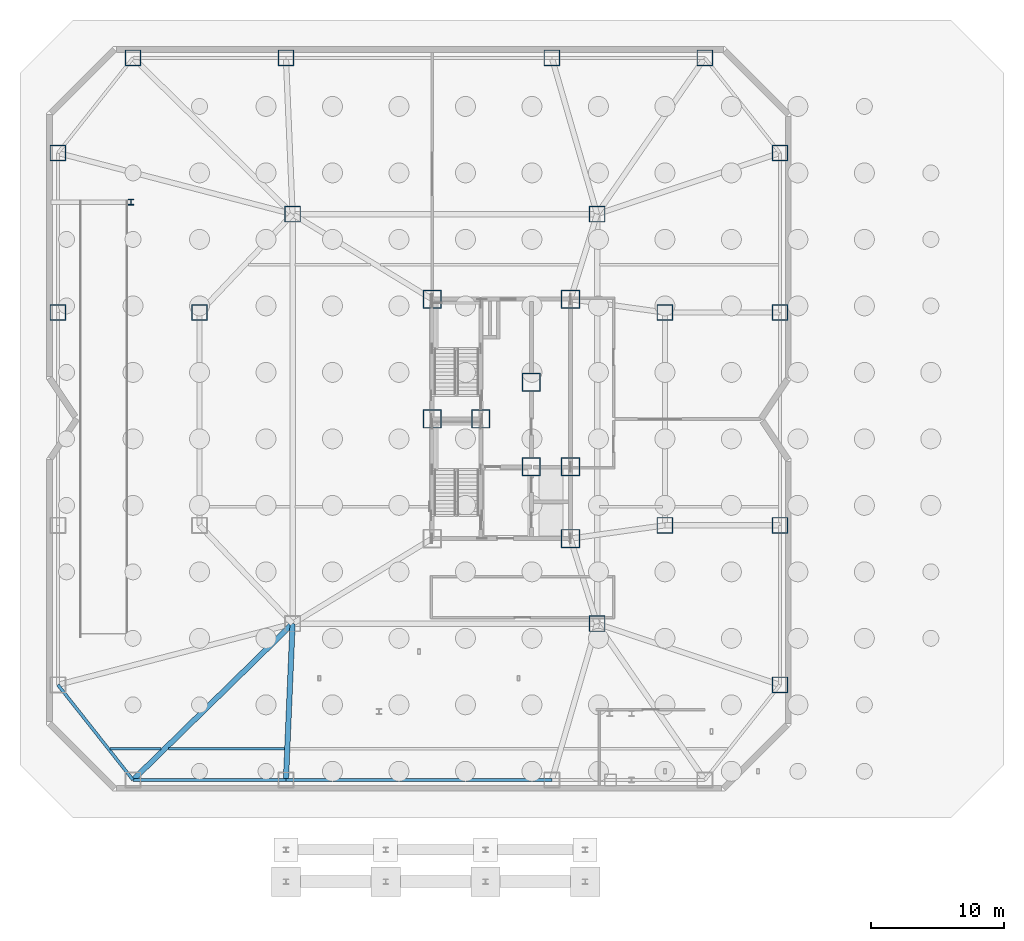
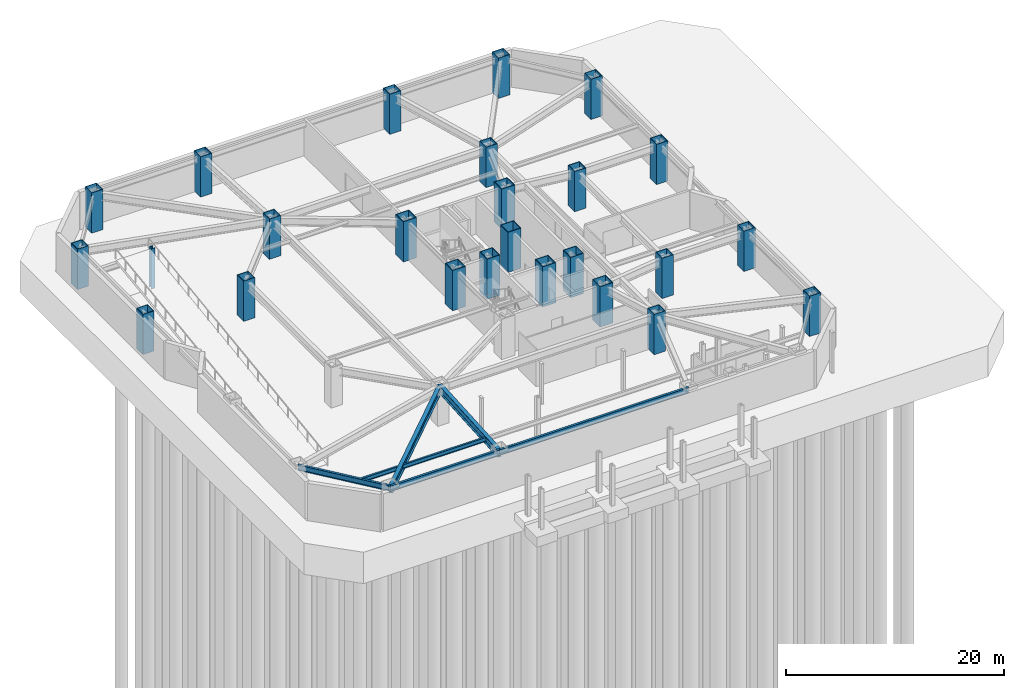
# One storey, part 3 of 15: 25 columns, 7 beams.
"""IFC4 building model written with IfcOpenShell, lengths in metres."""

import ifcopenshell
import ifcopenshell.guid

model = None  # the IFC model being written
_history = None  # IfcOwnerHistory: only IFC2X3 demands one
_inside = {}  # id of a spatial element -> (the spatial element, [elements in it])
_under = {}  # id of a project, library or spatial element -> (it, [spatial elements below it])
_declared = {}  # id of a project -> (the project, [libraries it declares])
_typed = {}  # id of a type object -> (the type object, [elements of that type])
_made_of = {}  # id of a material, layer set ... -> (it, [elements and type objects made of it])


def new_model(schema):
    """Start an empty IFC model of exactly this schema.

    Asked for "IFC4X3", IfcOpenShell would pick the latest addendum, in which some entities
    have other attributes; the version numbers below select the first issue.
    IFC2X3 requires an IfcOwnerHistory on every rooted entity: one is made here for all.
    """
    global model, _history
    if schema == "IFC4X3":
        model = ifcopenshell.file(schema_version=(4, 3, 0, 0))
    else:
        model = ifcopenshell.file(schema=schema)
    _inside.clear()
    _under.clear()
    _declared.clear()
    _typed.clear()
    _made_of.clear()
    _history = None
    if model.schema == "IFC2X3":
        org = make("IfcOrganization", Name="unknown")
        user = make(
            "IfcPersonAndOrganization",
            ThePerson=make("IfcPerson", FamilyName="unknown"),
            TheOrganization=org,
        )
        app = make(
            "IfcApplication",
            ApplicationDeveloper=org,
            Version="unknown",
            ApplicationFullName="unknown",
            ApplicationIdentifier="unknown",
        )
        _history = make(
            "IfcOwnerHistory",
            OwningUser=user,
            OwningApplication=app,
            ChangeAction="ADDED",
            CreationDate=0,
        )
    return model


def make(cls, **values):
    """One entity of the class cls with the attributes given. An attribute that is None is left unset."""
    return model.create_entity(
        cls, **{name: value for name, value in values.items() if value is not None}
    )


def rooted(cls, **values):
    """An entity with a GlobalId (a new one), such as an element, a storey or a relation."""
    return make(cls, GlobalId=ifcopenshell.guid.new(), OwnerHistory=_history, **values)


def si_unit(unit_type, name, prefix=None):
    """IfcSIUnit, for example si_unit("LENGTHUNIT", "METRE", prefix="MILLI")."""
    return make("IfcSIUnit", UnitType=unit_type, Prefix=prefix, Name=name)


def assignment(units):
    """IfcUnitAssignment: the units of a project."""
    return None if units is None else make("IfcUnitAssignment", Units=units)


def point(xyz):
    """IfcCartesianPoint."""
    return None if xyz is None else make("IfcCartesianPoint", Coordinates=xyz)


def direction(xyz):
    """IfcDirection."""
    return None if xyz is None else make("IfcDirection", DirectionRatios=xyz)


def frame(location, z_axis=None, x_axis=None):
    """IfcAxis2Placement3D, a coordinate frame: its origin and axes. An axis left out is left unset."""
    return make(
        "IfcAxis2Placement3D",
        Location=point(location),
        Axis=direction(z_axis),
        RefDirection=direction(x_axis),
    )


def frame_2d(location, x_axis=None):
    """IfcAxis2Placement2D, a coordinate frame in the plane: its origin and x axis."""
    return make(
        "IfcAxis2Placement2D", Location=point(location), RefDirection=direction(x_axis)
    )


def origin():
    """The frame at (0, 0, 0) with its axes left unset."""
    return frame((0.0, 0.0, 0.0))


def origin_2d():
    """The frame at (0, 0) in the plane with its x axis left unset."""
    return frame_2d((0.0, 0.0))


def place(relative_to, where):
    """IfcLocalPlacement: puts the frame where relative to a parent placement (None: the world)."""
    return make(
        "IfcLocalPlacement", PlacementRelTo=relative_to, RelativePlacement=where
    )


def context(
    kind, dimensions, precision=None, world=None, true_north=None, identifier=None
):
    """IfcGeometricRepresentationContext, for example the 3D "Model" context."""
    return make(
        "IfcGeometricRepresentationContext",
        ContextIdentifier=identifier,
        ContextType=kind,
        CoordinateSpaceDimension=dimensions,
        Precision=precision,
        WorldCoordinateSystem=world,
        TrueNorth=true_north,
    )


def subcontext(parent, identifier, kind, view, scale=None):
    """IfcGeometricRepresentationSubContext, for example "Body" below "Model"."""
    return make(
        "IfcGeometricRepresentationSubContext",
        ContextIdentifier=identifier,
        ContextType=kind,
        ParentContext=parent,
        TargetScale=scale,
        TargetView=view,
    )


def project(units=None, contexts=None):
    """IfcProject with its units and contexts."""
    return rooted(
        "IfcProject",
        Name="project",
        RepresentationContexts=contexts,
        UnitsInContext=assignment(units),
    )


def spatial(cls, under=None, at=None, **own):
    """A site, building, storey or space (cls), placed at a placement, below another one or the project."""
    s = rooted(cls, ObjectPlacement=at, **own)
    if under is not None:
        _under.setdefault(under.id(), (under, []))[1].append(s)
    return s


def profile(cls, at=None, kind="AREA", **sizes):
    """A parametric profile (cls). Its sizes go by their IFC names, for example OverallWidth=200.0."""
    return make(cls, ProfileType=kind, Position=at, **sizes)


def hollow_rectangle(**sizes):
    """IfcRectangleHollowProfileDef."""
    return profile("IfcRectangleHollowProfileDef", **sizes)


def i_section(**sizes):
    """IfcIShapeProfileDef."""
    return profile("IfcIShapeProfileDef", **sizes)


def extrude(swept, where, along, depth):
    """IfcExtrudedAreaSolid: the profile swept, set in the frame where, extruded along a direction by depth."""
    return make(
        "IfcExtrudedAreaSolid",
        SweptArea=swept,
        Position=where,
        ExtrudedDirection=direction(along),
        Depth=depth,
    )


def shape(context_of_items, identifier, shape_type, items):
    """IfcShapeRepresentation: the items that make up one representation, for example the "Body"."""
    return make(
        "IfcShapeRepresentation",
        ContextOfItems=context_of_items,
        RepresentationIdentifier=identifier,
        RepresentationType=shape_type,
        Items=items,
    )


def material(Name=None, Category=None):
    """IfcMaterial."""
    return make("IfcMaterial", Name=Name, Category=Category)


def material_profile(
    of_material, cross_section, Name=None, Category=None, Priority=None
):
    """IfcMaterialProfile: a cross section and its material."""
    return make(
        "IfcMaterialProfile",
        Name=Name,
        Material=of_material,
        Profile=cross_section,
        Priority=Priority,
        Category=Category,
    )


def profile_set(profiles, Name=None, composite=None):
    """IfcMaterialProfileSet."""
    return make(
        "IfcMaterialProfileSet",
        Name=Name,
        MaterialProfiles=profiles,
        CompositeProfile=composite,
    )


def made_of(thing, what):
    """Note that an element or type object is made of a material, layer set ...; save() writes the relation."""
    if what is not None:
        _made_of.setdefault(what.id(), (what, []))[1].append(thing)
    return thing


def type_object(cls, material=None, **own):
    """A type object (cls), such as IfcWallType, which elements share."""
    return made_of(rooted(cls, **own), material)


def element(
    cls,
    number,
    at=None,
    inside=None,
    cuts=None,
    type_object=None,
    material=None,
    context=None,
    identifier="Body",
    shape_type=None,
    held_by="IfcProductDefinitionShape",
    body=None,
    shapes=None,
    **own,
):
    """One element of the class cls, such as IfcWall. Its Tag is "e" and its number.

    at: its placement. inside: the storey or other place that contains it. cuts: it is an
    opening in that element (IfcRelVoidsElement). A single representation is given by context,
    identifier, shape_type and body (its items); several are given by shapes. held_by: the class
    of the entity that holds the representations. save() writes the other relations.
    """
    e = rooted(cls, Tag="e%d" % number, ObjectPlacement=at, **own)
    if body is not None:
        shapes = [shape(context, identifier, shape_type, body)]
    if shapes is not None:
        e.Representation = make(held_by, Representations=shapes)
    if inside is not None:
        _inside.setdefault(inside.id(), (inside, []))[1].append(e)
    if cuts is not None:
        rooted(
            "IfcRelVoidsElement", RelatingBuildingElement=cuts, RelatedOpeningElement=e
        )
    if type_object is not None:
        _typed.setdefault(type_object.id(), (type_object, []))[1].append(e)
    return made_of(e, material)


def aggregate(whole, parts):
    """IfcRelAggregates: a whole, such as a stair, and the parts it consists of."""
    return rooted("IfcRelAggregates", RelatingObject=whole, RelatedObjects=parts)


def save(model, path):
    """Write the relations noted so far, then the file.

    IfcRelAggregates (storeys below a building ...), IfcRelContainedInSpatialStructure (elements
    in a storey), IfcRelDefinesByType, IfcRelAssociatesMaterial and IfcRelDeclares: one each for
    every whole, place, type object, material and project.
    """
    for whole, parts in _under.values():
        aggregate(whole, parts)
    for where, things in _inside.values():
        rooted(
            "IfcRelContainedInSpatialStructure",
            RelatedElements=things,
            RelatingStructure=where,
        )
    for kind, things in _typed.values():
        rooted("IfcRelDefinesByType", RelatedObjects=things, RelatingType=kind)
    for what, things in _made_of.values():
        rooted("IfcRelAssociatesMaterial", RelatedObjects=things, RelatingMaterial=what)
    for by, libraries in _declared.values():
        rooted("IfcRelDeclares", RelatingContext=by, RelatedDefinitions=libraries)
    model.write(path)


model = new_model("IFC4")

# Units and contexts
model_context = context("Model", 3, precision=1e-05, world=origin(), true_north=direction((0.0, 1.0)))
body_context = subcontext(model_context, "Body", "Model", "MODEL_VIEW")
ifc_project = project(units=[si_unit("LENGTHUNIT", "METRE"), si_unit("AREAUNIT", "SQUARE_METRE"), si_unit("VOLUMEUNIT", "CUBIC_METRE"), si_unit("PLANEANGLEUNIT", "RADIAN"), si_unit("MASSUNIT", "GRAM", prefix="KILO")], contexts=[model_context])

# Site, building, storey
site_placement = place(None, origin())
site = spatial("IfcSite", under=ifc_project, at=site_placement, CompositionType="ELEMENT")
building_placement = place(site_placement, origin())
building = spatial("IfcBuilding", under=site, at=building_placement, Name="Khamvora Tower", CompositionType="ELEMENT")
storey_placement = place(building_placement, frame((0.0, 0.0, -9.0)))
storey = spatial("IfcBuildingStorey", under=building, at=storey_placement, Name="B2", CompositionType="ELEMENT", Elevation=-9.0)

# Columns
ifc_material_1 = material(Name="Steel S460", Category="steel")
ifc_material_profile_1 = material_profile(ifc_material_1, hollow_rectangle(XDim=1.199951171875, YDim=1.199951171875, WallThickness=0.06005859375, at=origin_2d()), Name="BOX1200x1200x60")
ifc_profile_set_1 = profile_set([ifc_material_profile_1], Name="Steel S460")
column_type_1 = type_object("IfcColumnType", Name="COL-BOX1200", PredefinedType="COLUMN", material=ifc_profile_set_1)
for number, where, z_axis, x_axis, name in (
    (1, (6.5, 55.14990234375, 0.0), (0.0, 0.0, 1.0), (1.0, 0.0, 0.0), "B2 structural frame column P05"),
    (2, (18.0, 55.14990234375, 0.0), (0.0, 0.0, 1.0), (1.0, 0.0, 0.0), "B2 structural frame column P06"),
    (3, (38.0, 55.14990234375, 0.0), (0.0, 0.0, 1.0), (1.0, 0.0, 0.0), "B2 structural frame column P07"),
    (4, (49.5, 55.14990234375, 0.0), (0.0, 0.0, 1.0), (1.0, 0.0, 0.0), "B2 structural frame column P08"),
    (5, (0.85009765625, 36.0, 0.0), (0.0, 0.0, 1.0), (1.0, 0.0, 0.0), "B2 structural frame column P11"),
    (6, (0.85009765625, 48.0, 0.0), (0.0, 0.0, 1.0), (1.0, 0.0, 0.0), "B2 structural frame column P12"),
    (7, (55.14990234375, 8.0, 0.0), (0.0, 0.0, 1.0), (1.0, 0.0, 0.0), "B2 structural frame column P13"),
    (8, (55.14990234375, 20.0, 0.0), (0.0, 0.0, 1.0), (1.0, 0.0, 0.0), "B2 structural frame column P14"),
    (9, (55.14990234375, 36.0, 0.0), (0.0, 0.0, 1.0), (1.0, 0.0, 0.0), "B2 structural frame column P15"),
    (10, (55.14990234375, 48.0, 0.0), (0.0, 0.0, 1.0), (1.0, 0.0, 0.0), "B2 structural frame column P16"),
    (11, (41.39990234375, 12.60009765625, 0.0), (0.0, 0.0, 1.0), (1.0, 0.0, 0.0), "B2 structural frame column P18"),
    (12, (18.5, 43.39990234375, 0.0), (0.0, 0.0, 1.0), (1.0, 0.0, 0.0), "B2 structural frame column P19"),
    (13, (41.39990234375, 43.39990234375, 0.0), (0.0, 0.0, 1.0), (1.0, 0.0, 0.0), "B2 structural frame column P20"),
    (14, (11.5, 36.0, 0.0), (0.0, 0.0, 1.0), (1.0, 0.0, 0.0), "B2 structural frame column P22"),
    (15, (46.5, 20.0, 0.0), (0.0, 0.0, 1.0), (1.0, 0.0, 0.0), "B2 structural frame column P23"),
    (16, (46.5, 36.0, 0.0), (0.0, 0.0, 1.0), (1.0, 0.0, 0.0), "B2 structural frame column P24"),
):
    element("IfcColumn", number, at=place(storey_placement, frame(where, z_axis=z_axis, x_axis=x_axis)), inside=storey, type_object=column_type_1, Name=name, PredefinedType="COLUMN", context=body_context, shape_type="SweptSolid", body=[
        extrude(hollow_rectangle(XDim=1.199951171875, YDim=1.199951171875, WallThickness=0.06005859375, at=origin_2d()), origin(), (0.0, 0.0, 1.0), 4.5),
    ])
ifc_material_profile_2 = material_profile(ifc_material_1, hollow_rectangle(XDim=1.39990234375, YDim=1.39990234375, WallThickness=0.070068359375, at=origin_2d()), Name="BOX1400x1400x70")
ifc_profile_set_2 = profile_set([ifc_material_profile_2], Name="Steel S460")
column_type_2 = type_object("IfcColumnType", Name="COL-BOX1400", PredefinedType="COLUMN", material=ifc_profile_set_2)
for number, where, z_axis, x_axis, name in (
    (17, (32.64990234375, 28.0, 0.0), (0.0, 0.0, 1.0), (1.0, 0.0, 0.0), "B2 plumb core spine column SC2"),
    (18, (39.39990234375, 19.0, 0.0), (0.0, 0.0, 1.0), (1.0, 0.0, 0.0), "B2 plumb core spine column SC3"),
    (19, (29.0, 28.0, 0.0), (0.0, 0.0, 1.0), (1.0, 0.0, 0.0), "B2 plumb core spine column SC4"),
    (20, (36.449951171875, 24.39990234375, 0.0), (0.0, 0.0, 1.0), (1.0, 0.0, 0.0), "B2 plumb core spine column SC5"),
    (21, (39.39990234375, 24.39990234375, 0.0), (0.0, 0.0, 1.0), (1.0, 0.0, 0.0), "B2 plumb core spine column SC6"),
    (22, (29.0, 37.0, 0.0), (0.0, 0.0, 1.0), (1.0, 0.0, 0.0), "B2 plumb core spine column SC7"),
    (23, (36.449951171875, 30.75, 0.0), (0.0, 0.0, 1.0), (1.0, 0.0, 0.0), "B2 plumb core spine column SC8"),
    (24, (39.39990234375, 37.0, 0.0), (0.0, 0.0, 1.0), (1.0, 0.0, 0.0), "B2 plumb core spine column SC9"),
):
    element("IfcColumn", number, at=place(storey_placement, frame(where, z_axis=z_axis, x_axis=x_axis)), inside=storey, type_object=column_type_2, Name=name, PredefinedType="COLUMN", context=body_context, shape_type="SweptSolid", body=[
        extrude(hollow_rectangle(XDim=1.39990234375, YDim=1.39990234375, WallThickness=0.070068359375, at=origin_2d()), origin(), (0.0, 0.0, 1.0), 4.5),
    ])
ifc_material_2 = material(Name="Steel S355", Category="steel")
ifc_material_profile_3 = material_profile(ifc_material_2, i_section(OverallWidth=0.412109375, OverallDepth=0.43505859375, WebThickness=0.031005859375, FlangeThickness=0.051025390625, FilletRadius=0.014892578125, at=origin_2d()), Name="HD400x463")
ifc_profile_set_3 = profile_set([ifc_material_profile_3], Name="Steel S355")
column_type_3 = type_object("IfcColumnType", Name="COL-HD463", PredefinedType="COLUMN", material=ifc_profile_set_3)
column_placement = place(storey_placement, frame((6.35009765625, 44.300048828125, 0.0), z_axis=(0.0, 0.0, 1.0), x_axis=(1.0, 0.0, 0.0)))
element("IfcColumn", 25, at=column_placement, inside=storey, type_object=column_type_3, Name="B2 vehicle ramp upper sill support column", PredefinedType="COLUMN", context=body_context, shape_type="SweptSolid", body=[
    extrude(i_section(OverallWidth=0.412109375, OverallDepth=0.43505859375, WebThickness=0.031005859375, FlangeThickness=0.051025390625, FilletRadius=0.014892578125, at=origin_2d()), origin(), (0.0, 0.0, 1.0), 4.5),
])

# Beams
ifc_material_profile_4 = material_profile(ifc_material_2, i_section(OverallWidth=0.19189453125, OverallDepth=0.462890625, WebThickness=0.010986328125, FlangeThickness=0.01806640625, FilletRadius=0.011962890625, at=origin_2d()), Name="W460x89")
ifc_profile_set_4 = profile_set([ifc_material_profile_4], Name="Steel S355")
beam_type_1 = type_object("IfcBeamType", Name="BM-JS-W460x89", PredefinedType="JOIST", material=ifc_profile_set_4)
beam_1_placement = place(storey_placement, frame((4.784912109375, 3.199951171875, 3.948974609375), z_axis=(1.0, 0.0, 0.0), x_axis=(0.0, 1.0, 0.0)))
element("IfcBeam", 26, at=beam_1_placement, inside=storey, type_object=beam_type_1, Name="B2 secondary floor joist 01", PredefinedType="JOIST", context=body_context, shape_type="SweptSolid", body=[
    extrude(i_section(OverallWidth=0.19189453125, OverallDepth=0.462890625, WebThickness=0.010986328125, FlangeThickness=0.01806640625, FilletRadius=0.011962890625, at=origin_2d()), origin(), (0.0, 0.0, 1.0), 3.833984375),
])
beam_2_placement = place(storey_placement, frame((9.180908203125, 3.199951171875, 3.948974609375), z_axis=(1.0, 0.0, 0.0), x_axis=(0.0, 1.0, 0.0)))
element("IfcBeam", 27, at=beam_2_placement, inside=storey, type_object=beam_type_1, Name="B2 secondary floor joist 02", PredefinedType="JOIST", context=body_context, shape_type="SweptSolid", body=[
    extrude(i_section(OverallWidth=0.19189453125, OverallDepth=0.462890625, WebThickness=0.010986328125, FlangeThickness=0.01806640625, FilletRadius=0.011962890625, at=origin_2d()), origin(), (0.0, 0.0, 1.0), 8.72412109375),
])
ifc_material_profile_5 = material_profile(ifc_material_2, i_section(OverallWidth=0.39990234375, OverallDepth=0.85498046875, WebThickness=0.01806640625, FlangeThickness=0.029052734375, FilletRadius=0.01806640625, at=origin_2d()), Name="W840x299")
ifc_profile_set_5 = profile_set([ifc_material_profile_5], Name="Steel S355")
beam_type_2 = type_object("IfcBeamType", Name="BM-PG-W840x299", PredefinedType="BEAM", material=ifc_profile_set_5)
beam_3_placement = place(storey_placement, frame((18.5, 12.60009765625, 3.751953125), z_axis=(-0.714510426493, -0.699624792608, 0.0), x_axis=(0.699624792608, -0.714510426493, 0.0)))
element("IfcBeam", 28, at=beam_3_placement, inside=storey, type_object=beam_type_2, Name="B2 primary floor girder P01", PredefinedType="BEAM", context=body_context, shape_type="SweptSolid", body=[
    extrude(i_section(OverallWidth=0.39990234375, OverallDepth=0.85498046875, WebThickness=0.01806640625, FlangeThickness=0.029052734375, FilletRadius=0.01806640625, at=origin_2d()), origin(), (0.0, 0.0, 1.0), 16.794677734375),
])
beam_4_placement = place(storey_placement, frame((18.5, 12.60009765625, 3.751953125), z_axis=(-0.042514716625, -0.999095840683, 0.0), x_axis=(0.999095840683, -0.042514716625, 0.0)))
element("IfcBeam", 29, at=beam_4_placement, inside=storey, type_object=beam_type_2, Name="B2 primary floor girder P02", PredefinedType="BEAM", context=body_context, shape_type="SweptSolid", body=[
    extrude(i_section(OverallWidth=0.39990234375, OverallDepth=0.85498046875, WebThickness=0.01806640625, FlangeThickness=0.029052734375, FilletRadius=0.01806640625, at=origin_2d()), origin(), (0.0, 0.0, 1.0), 11.7607421875),
])
ifc_material_profile_6 = material_profile(ifc_material_2, i_section(OverallWidth=0.22998046875, OverallDepth=0.616943359375, WebThickness=0.012939453125, FlangeThickness=0.02197265625, FilletRadius=0.013916015625, at=origin_2d()), Name="W610x140")
ifc_profile_set_6 = profile_set([ifc_material_profile_6], Name="Steel S355")
beam_type_3 = type_object("IfcBeamType", Name="BM-SP-W610x140", PredefinedType="SPANDREL", material=ifc_profile_set_6)
beam_5_placement = place(storey_placement, frame((0.85009765625, 8.0, 3.87109375), z_axis=(0.619998635429, -0.784602888133, 0.0), x_axis=(0.784602888133, 0.619998635429, 0.0)))
element("IfcBeam", 30, at=beam_5_placement, inside=storey, type_object=beam_type_3, Name="B2 perimeter spandrel beam P09-P01", PredefinedType="SPANDREL", context=body_context, shape_type="SweptSolid", body=[
    extrude(i_section(OverallWidth=0.22998046875, OverallDepth=0.616943359375, WebThickness=0.012939453125, FlangeThickness=0.02197265625, FilletRadius=0.013916015625, at=origin_2d()), origin(), (0.0, 0.0, 1.0), 9.11279296875),
])
beam_6_placement = place(storey_placement, frame((6.5, 0.85009765625, 3.87109375), z_axis=(1.0, 0.0, 0.0), x_axis=(0.0, 1.0, 0.0)))
element("IfcBeam", 31, at=beam_6_placement, inside=storey, type_object=beam_type_3, Name="B2 perimeter spandrel beam P01-P02", PredefinedType="SPANDREL", context=body_context, shape_type="SweptSolid", body=[
    extrude(i_section(OverallWidth=0.22998046875, OverallDepth=0.616943359375, WebThickness=0.012939453125, FlangeThickness=0.02197265625, FilletRadius=0.013916015625, at=origin_2d()), origin(), (0.0, 0.0, 1.0), 11.5),
])
beam_7_placement = place(storey_placement, frame((18.0, 0.85009765625, 3.87109375), z_axis=(1.0, 0.0, 0.0), x_axis=(0.0, 1.0, 0.0)))
element("IfcBeam", 32, at=beam_7_placement, inside=storey, type_object=beam_type_3, Name="B2 perimeter spandrel beam P02-P03", PredefinedType="SPANDREL", context=body_context, shape_type="SweptSolid", body=[
    extrude(i_section(OverallWidth=0.22998046875, OverallDepth=0.616943359375, WebThickness=0.012939453125, FlangeThickness=0.02197265625, FilletRadius=0.013916015625, at=origin_2d()), origin(), (0.0, 0.0, 1.0), 20.0),
])

save(model, "model.ifc")
